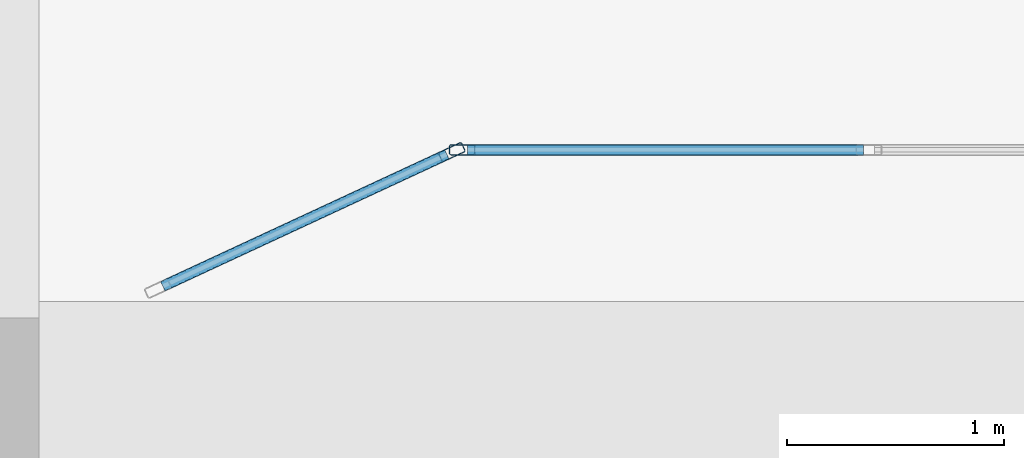
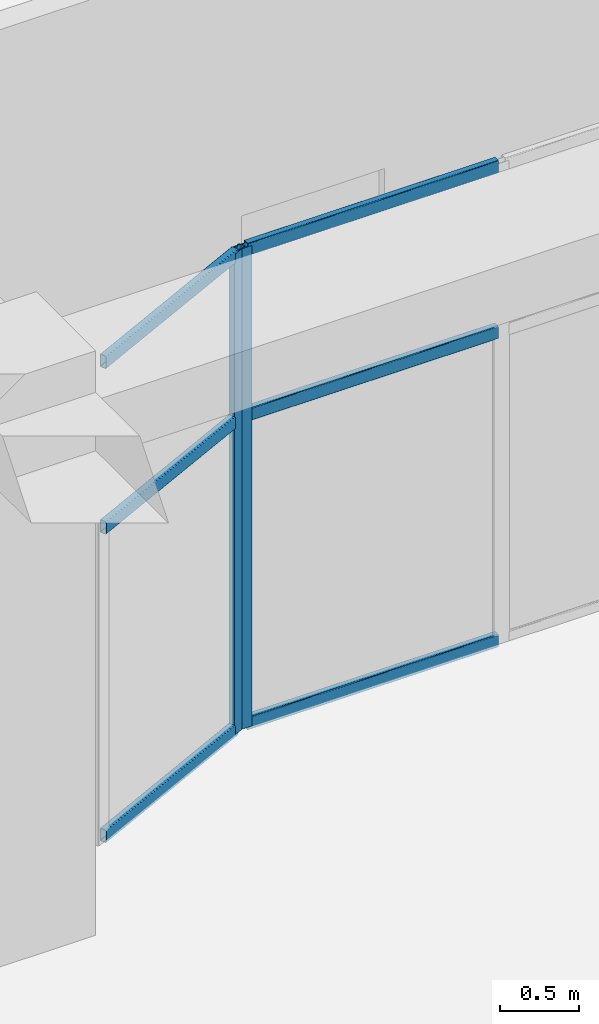
# One storey, part 22 of 121: 8 members, 2 elements without a shape of their own.
"""IFC4 building model written with IfcOpenShell, lengths in metres."""

from ifc_helpers import new_model, si_unit, derived_unit, direction, frame, origin, origin_2d, place, context, subcontext, project, spatial, hollow_rectangle, extrude, material, material_profile, profile_set, type_object, element, aggregate, save


model = new_model("IFC4")

# Units and contexts
model_context = context("Model", 3, precision=1e-05, world=origin(), true_north=direction((0.0, 1.0)))
body_context = subcontext(model_context, "Body", "Model", "MODEL_VIEW")
ifc_project = project(units=[si_unit("LENGTHUNIT", "METRE"), si_unit("AREAUNIT", "SQUARE_METRE"), si_unit("VOLUMEUNIT", "CUBIC_METRE"), si_unit("PLANEANGLEUNIT", "RADIAN"), si_unit("MASSUNIT", "GRAM", prefix="KILO"), derived_unit("THERMALTRANSMITTANCEUNIT", [(si_unit("POWERUNIT", "WATT"), 1), (si_unit("LENGTHUNIT", "METRE"), -2), (si_unit("THERMODYNAMICTEMPERATUREUNIT", "KELVIN"), -1)])], contexts=[model_context])

# Site, building, storey
site_placement = place(None, origin())
site = spatial("IfcSite", under=ifc_project, at=site_placement, CompositionType="ELEMENT")
building_placement = place(site_placement, origin())
building = spatial("IfcBuilding", under=site, at=building_placement, Name="Veybourne Emporium", CompositionType="ELEMENT")
storey_placement = place(building_placement, frame((0.0, 0.0, 5.39990234375)))
storey = spatial("IfcBuildingStorey", under=building, at=storey_placement, Name="L01", CompositionType="ELEMENT", Elevation=5.39990234375)

# Curtain wall, member
ifc_material = material(Name="Patinated Architectural Bronze", Category="bronze")
curtain_wall_type_1 = type_object("IfcCurtainWallType", Name="CWSystem_CWI-04", PredefinedType="NOTDEFINED", material=ifc_material)
curtain_wall_1_placement = place(storey_placement, origin())
curtain_wall_1 = element("IfcCurtainWall", 1, at=curtain_wall_1_placement, inside=storey, type_object=curtain_wall_type_1, Name="Arcade bow-front boutique shopfront L01 bay 9 facet 1", PredefinedType="NOTDEFINED")
ifc_material_profile_1 = material_profile(ifc_material, hollow_rectangle(XDim=0.050048828125, YDim=0.1201171875, WallThickness=0.00390625, InnerFilletRadius=0.006103515625, OuterFilletRadius=0.010009765625, at=origin_2d()), Name="CWM 50x120x4")
ifc_profile_set_1 = profile_set([ifc_material_profile_1], Name="Patinated Architectural Bronze")
member_type_1 = type_object("IfcMemberType", Name="CWMullion_CW-M5", PredefinedType="MULLION", material=ifc_profile_set_1)
member_1_placement = place(storey_placement, frame((77.87744140625, 22.739501953125, 0.0), z_axis=(0.0, 0.0, 1.0), x_axis=(-0.421111306453, 0.907008967749, 0.0)))
member_1 = element("IfcMember", 2, at=member_1_placement, type_object=member_type_1, Name="CWI-04 mullion 2", PredefinedType="MULLION", context=body_context, shape_type="SweptSolid", body=[
    extrude(hollow_rectangle(XDim=0.050048828125, YDim=0.1201171875, WallThickness=0.00390625, InnerFilletRadius=0.006103515625, OuterFilletRadius=0.010009765625, at=origin_2d()), origin(), (0.0, 0.0, 1.0), 3.7001953125),
])

curtain_wall_type_2 = type_object("IfcCurtainWallType", Name="CWSystem_CWI-05", PredefinedType="NOTDEFINED", material=ifc_material)
curtain_wall_2_placement = place(storey_placement, origin())
curtain_wall_2 = element("IfcCurtainWall", 3, at=curtain_wall_2_placement, inside=storey, type_object=curtain_wall_type_2, Name="Arcade bow-front boutique shopfront L01 bay 9 facet 2", PredefinedType="NOTDEFINED")
member_2_placement = place(storey_placement, frame((77.925048828125, 22.75, 0.0), z_axis=(0.0, 0.0, 1.0), x_axis=(0.0, 1.0, 0.0)))
member_2 = element("IfcMember", 4, at=member_2_placement, type_object=member_type_1, Name="CWI-05 mullion 1", PredefinedType="MULLION", context=body_context, shape_type="SweptSolid", body=[
    extrude(hollow_rectangle(XDim=0.050048828125, YDim=0.1201171875, WallThickness=0.00390625, InnerFilletRadius=0.006103515625, OuterFilletRadius=0.010009765625, at=origin_2d()), origin(), (0.0, 0.0, 1.0), 3.7001953125),
])

# Member
ifc_material_profile_2 = material_profile(ifc_material, hollow_rectangle(XDim=0.050048828125, YDim=0.10009765625, WallThickness=0.00390625, InnerFilletRadius=0.006103515625, OuterFilletRadius=0.010009765625, at=origin_2d()), Name="CWT 50x100x4")
ifc_profile_set_2 = profile_set([ifc_material_profile_2], Name="Patinated Architectural Bronze")
member_type_2 = type_object("IfcMemberType", Name="CWTransom_CW-T5", PredefinedType="NOTDEFINED", material=ifc_profile_set_2)
member_3_placement = place(storey_placement, frame((76.54541015625, 22.12109375, 0.025146484375), z_axis=(0.907006660705, 0.421116275435, 0.0), x_axis=(-0.421116275435, 0.907006660705, 0.0)))
member_3 = element("IfcMember", 5, at=member_3_placement, type_object=member_type_2, Name="CWI-04 transom 1.1", ObjectType="TRANSOM", PredefinedType="USERDEFINED", context=body_context, shape_type="SweptSolid", body=[
    extrude(hollow_rectangle(XDim=0.050048828125, YDim=0.10009765625, WallThickness=0.00390625, InnerFilletRadius=0.006103515625, OuterFilletRadius=0.010009765625, at=origin_2d()), origin(), (0.0, 0.0, 1.0), 1.443603515625),
])

member_4_placement = place(storey_placement, frame((76.54541015625, 22.12109375, 2.400146484375), z_axis=(0.907006660705, 0.421116275435, 0.0), x_axis=(-0.421116275435, 0.907006660705, 0.0)))
member_4 = element("IfcMember", 6, at=member_4_placement, type_object=member_type_2, Name="CWI-04 transom 1.2", ObjectType="TRANSOM", PredefinedType="USERDEFINED", context=body_context, shape_type="SweptSolid", body=[
    extrude(hollow_rectangle(XDim=0.050048828125, YDim=0.10009765625, WallThickness=0.00390625, InnerFilletRadius=0.006103515625, OuterFilletRadius=0.010009765625, at=origin_2d()), origin(), (0.0, 0.0, 1.0), 1.443603515625),
])

member_5_placement = place(storey_placement, frame((76.54541015625, 22.12109375, 3.675048828125), z_axis=(0.907006660705, 0.421116275435, 0.0), x_axis=(-0.421116275435, 0.907006660705, 0.0)))
member_5 = element("IfcMember", 7, at=member_5_placement, type_object=member_type_2, Name="CWI-04 transom 1.3", ObjectType="TRANSOM", PredefinedType="USERDEFINED", context=body_context, shape_type="SweptSolid", body=[
    extrude(hollow_rectangle(XDim=0.050048828125, YDim=0.10009765625, WallThickness=0.00390625, InnerFilletRadius=0.006103515625, OuterFilletRadius=0.010009765625, at=origin_2d()), origin(), (0.0, 0.0, 1.0), 1.443603515625),
])

aggregate(curtain_wall_1, [member_1, member_3, member_4, member_5])

member_6_placement = place(storey_placement, frame((77.949951171875, 22.75, 0.025146484375), z_axis=(1.0, 0.0, 0.0), x_axis=(0.0, 1.0, 0.0)))
member_6 = element("IfcMember", 8, at=member_6_placement, type_object=member_type_2, Name="CWI-05 transom 1.1", ObjectType="TRANSOM", PredefinedType="USERDEFINED", context=body_context, shape_type="SweptSolid", body=[
    extrude(hollow_rectangle(XDim=0.050048828125, YDim=0.10009765625, WallThickness=0.00390625, InnerFilletRadius=0.006103515625, OuterFilletRadius=0.010009765625, at=origin_2d()), origin(), (0.0, 0.0, 1.0), 1.824951171875),
])

member_7_placement = place(storey_placement, frame((77.949951171875, 22.75, 2.400146484375), z_axis=(1.0, 0.0, 0.0), x_axis=(0.0, 1.0, 0.0)))
member_7 = element("IfcMember", 9, at=member_7_placement, type_object=member_type_2, Name="CWI-05 transom 1.2", ObjectType="TRANSOM", PredefinedType="USERDEFINED", context=body_context, shape_type="SweptSolid", body=[
    extrude(hollow_rectangle(XDim=0.050048828125, YDim=0.10009765625, WallThickness=0.00390625, InnerFilletRadius=0.006103515625, OuterFilletRadius=0.010009765625, at=origin_2d()), origin(), (0.0, 0.0, 1.0), 1.824951171875),
])

member_8_placement = place(storey_placement, frame((77.949951171875, 22.75, 3.675048828125), z_axis=(1.0, 0.0, 0.0), x_axis=(0.0, 1.0, 0.0)))
member_8 = element("IfcMember", 10, at=member_8_placement, type_object=member_type_2, Name="CWI-05 transom 1.3", ObjectType="TRANSOM", PredefinedType="USERDEFINED", context=body_context, shape_type="SweptSolid", body=[
    extrude(hollow_rectangle(XDim=0.050048828125, YDim=0.10009765625, WallThickness=0.00390625, InnerFilletRadius=0.006103515625, OuterFilletRadius=0.010009765625, at=origin_2d()), origin(), (0.0, 0.0, 1.0), 1.824951171875),
])

aggregate(curtain_wall_2, [member_2, member_6, member_7, member_8])

save(model, "model.ifc")
